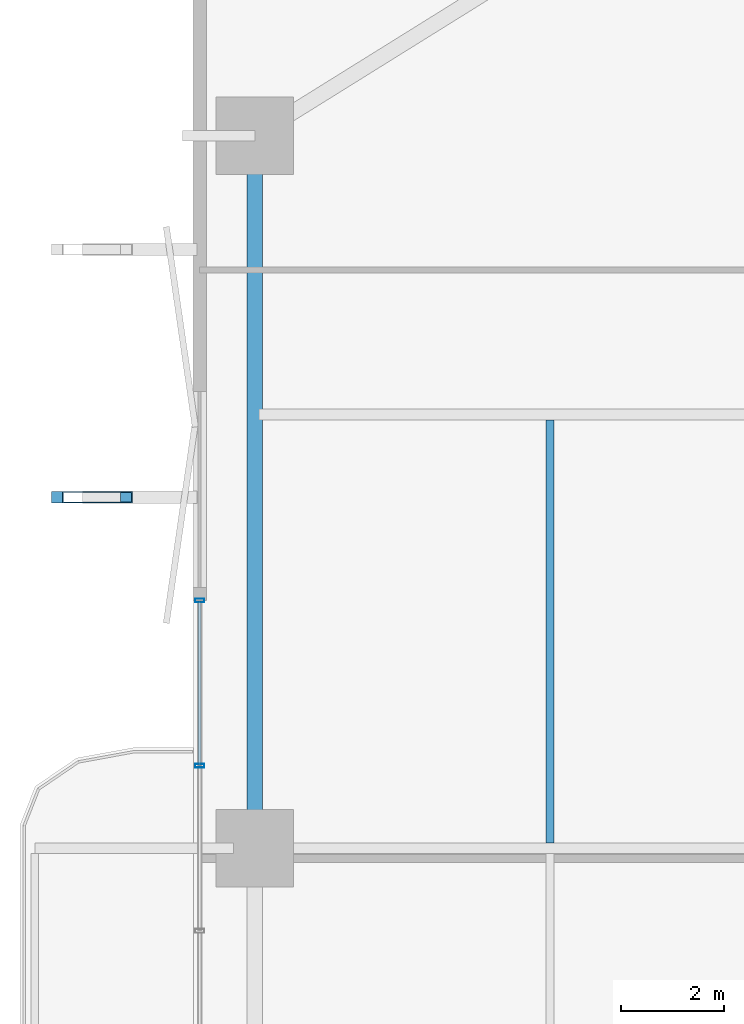
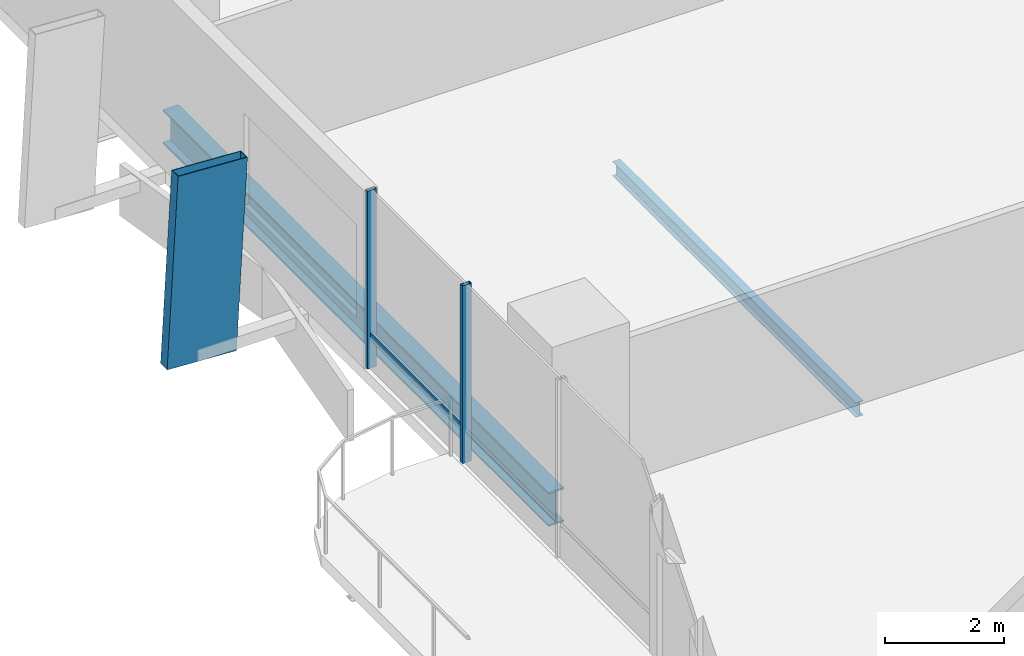
# One storey, part 9 of 23: 4 members, 2 beams, 1 element without a shape of its own.
"""IFC4 building model written with IfcOpenShell, lengths in metres."""

from ifc_helpers import new_model, si_unit, direction, frame, origin, origin_2d, place, context, subcontext, project, spatial, hollow_rectangle, i_section, extrude, material, layer, layer_set, material_profile, profile_set, type_object, element, aggregate, save


model = new_model("IFC4")

# Units and contexts
model_context = context("Model", 3, precision=1e-05, world=origin(), true_north=direction((0.0, 1.0)))
body_context = subcontext(model_context, "Body", "Model", "MODEL_VIEW")
ifc_project = project(units=[si_unit("LENGTHUNIT", "METRE"), si_unit("AREAUNIT", "SQUARE_METRE"), si_unit("VOLUMEUNIT", "CUBIC_METRE"), si_unit("PLANEANGLEUNIT", "RADIAN"), si_unit("MASSUNIT", "GRAM", prefix="KILO")], contexts=[model_context])

# Site, building, storey
site_placement = place(None, origin())
site = spatial("IfcSite", under=ifc_project, at=site_placement, CompositionType="ELEMENT")
building_placement = place(site_placement, origin())
building = spatial("IfcBuilding", under=site, at=building_placement, Name="Belovzor Exchange Tower", CompositionType="ELEMENT")
storey_placement = place(building_placement, frame((0.0, 0.0, 57.300048828125)))
storey = spatial("IfcBuildingStorey", under=building, at=storey_placement, Name="L13", CompositionType="ELEMENT", Elevation=57.300048828125)

# Member
ifc_material_1 = material(Name="Extruded Architectural Terracotta on Steel S355 Carrier", Category="masonry")
ifc_material_profile_1 = material_profile(ifc_material_1, hollow_rectangle(XDim=0.219970703125, YDim=1.35009765625, WallThickness=0.013916015625, at=origin_2d()))
ifc_profile_set_1 = profile_set([ifc_material_profile_1], Name="Extruded Architectural Terracotta on Steel S355 Carrier")
member_type_1 = type_object("IfcMemberType", Name="Base Arc Sweeping Terracotta Pylon Fin 1450", PredefinedType="USERDEFINED", material=ifc_profile_set_1)
member_1_placement = place(storey_placement, frame((-1.1630859375, 35.60009765625, -0.25), z_axis=(0.05481915954, 0.0, 0.998496299316), x_axis=(0.0, 1.0, 0.0)))
element("IfcMember", 1, at=member_1_placement, inside=storey, type_object=member_type_1, Name="FIN-TC145 Terracotta Facade Fin L13 W3", ObjectType="FIN", PredefinedType="USERDEFINED", context=body_context, shape_type="SweptSolid", body=[
    extrude(hollow_rectangle(XDim=0.219970703125, YDim=1.35009765625, WallThickness=0.013916015625, at=origin_2d()), origin(), (0.0, 0.0, 1.0), 3.90576171875),
])

# Beam
ifc_material_2 = material(Name="Steel S355", Category="steel")
ifc_material_profile_2 = material_profile(ifc_material_2, i_section(OverallWidth=0.14990234375, OverallDepth=0.300048828125, WebThickness=0.007080078125, FlangeThickness=0.0107421875, at=origin_2d()))
ifc_profile_set_2 = profile_set([ifc_material_profile_2], Name="Steel S355")
beam_type_1 = type_object("IfcBeamType", Name="Secondary Trim Floor Joist IPE 300", PredefinedType="BEAM", material=ifc_profile_set_2)
beam_1_placement = place(storey_placement, frame((7.81494140625, 28.905029296875, -0.400146484375), z_axis=(0.0, 1.0, 0.0), x_axis=(-1.0, 0.0, 0.0)))
element("IfcBeam", 2, at=beam_1_placement, inside=storey, type_object=beam_type_1, Name="FJ-300 Secondary Trim Floor Joist IPE 300", PredefinedType="BEAM", context=body_context, shape_type="SweptSolid", body=[
    extrude(i_section(OverallWidth=0.14990234375, OverallDepth=0.300048828125, WebThickness=0.007080078125, FlangeThickness=0.0107421875, at=origin_2d()), origin(), (0.0, 0.0, 1.0), 8.18994140625),
])

# Curtain wall, members
ifc_material_3 = material(Name="Anodised Aluminium Framing", Category="aluminium")
ifc_layer = layer(ifc_material_3, 0.179931640625)
ifc_layer_set = layer_set([ifc_layer], Name="Anodised Aluminium Framing")
curtain_wall_type = type_object("IfcCurtainWallType", Name="Recessed Loggia Low-Iron Triple-Glazed Curtain Wall", PredefinedType="NOTDEFINED", material=ifc_layer_set)
curtain_wall_placement = place(storey_placement, origin())
curtain_wall = element("IfcCurtainWall", 3, at=curtain_wall_placement, inside=storey, type_object=curtain_wall_type, Name="CW3 Recessed Loggia Low-Iron Triple-Glazed Curtain Wall L13", PredefinedType="NOTDEFINED")
ifc_material_4 = material(Name="Steel S355", Category="steel")
ifc_material_profile_3 = material_profile(ifc_material_4, hollow_rectangle(XDim=0.074951171875, YDim=0.179931640625, WallThickness=0.0048828125, at=origin_2d()))
ifc_profile_set_3 = profile_set([ifc_material_profile_3], Name="Steel S355")
member_type_2 = type_object("IfcMemberType", Name="Thermally Broken Curtain Wall Mullion 180x75", PredefinedType="MULLION", material=ifc_profile_set_3)
member_2_placement = place(storey_placement, frame((1.030029296875, 30.39990234375, 0.0), z_axis=(0.0, 0.0, 1.0), x_axis=(0.0, 1.0, 0.0)))
member_2 = element("IfcMember", 4, at=member_2_placement, type_object=member_type_2, Name="CW-M180 Curtain Wall Mullion 3", PredefinedType="MULLION", context=body_context, shape_type="SweptSolid", body=[
    extrude(hollow_rectangle(XDim=0.074951171875, YDim=0.179931640625, WallThickness=0.0048828125, at=origin_2d()), origin(), (0.0, 0.0, 1.0), 3.64990234375),
])
member_3_placement = place(storey_placement, frame((1.030029296875, 33.60009765625, 0.0), z_axis=(0.0, 0.0, 1.0), x_axis=(0.0, 1.0, 0.0)))
member_3 = element("IfcMember", 5, at=member_3_placement, type_object=member_type_2, Name="CW-M180 Curtain Wall Mullion 4", PredefinedType="MULLION", context=body_context, shape_type="SweptSolid", body=[
    extrude(hollow_rectangle(XDim=0.074951171875, YDim=0.179931640625, WallThickness=0.0048828125, at=origin_2d()), origin(), (0.0, 0.0, 1.0), 3.64990234375),
])
ifc_material_5 = material(Name="Steel S355", Category="steel")
ifc_material_profile_4 = material_profile(ifc_material_5, hollow_rectangle(XDim=0.06005859375, YDim=0.14990234375, WallThickness=0.00390625, at=origin_2d()))
ifc_profile_set_4 = profile_set([ifc_material_profile_4], Name="Steel S355")
member_type_3 = type_object("IfcMemberType", Name="Thermally Broken Curtain Wall Transom 150x60", PredefinedType="USERDEFINED", material=ifc_profile_set_4)
member_4_placement = place(storey_placement, frame((1.030029296875, 30.407958984375, 0.64990234375), z_axis=(0.0, 1.0, 0.0), x_axis=(-1.0, 0.0, 0.0)))
member_4 = element("IfcMember", 6, at=member_4_placement, type_object=member_type_3, Name="CW-T150 Curtain Wall Transom 3", ObjectType="TRANSOM", PredefinedType="USERDEFINED", context=body_context, shape_type="SweptSolid", body=[
    extrude(hollow_rectangle(XDim=0.06005859375, YDim=0.14990234375, WallThickness=0.00390625, at=origin_2d()), origin(), (0.0, 0.0, 1.0), 3.18408203125),
])
aggregate(curtain_wall, [member_2, member_3, member_4])

# Beam
ifc_material_6 = material(Name="Steel S355", Category="steel")
ifc_material_profile_5 = material_profile(ifc_material_6, i_section(OverallWidth=0.300048828125, OverallDepth=0.699951171875, WebThickness=0.01708984375, FlangeThickness=0.031982421875, at=origin_2d()))
ifc_profile_set_5 = profile_set([ifc_material_profile_5], Name="Steel S355")
beam_type_2 = type_object("IfcBeamType", Name="Zone 1 Primary Perimeter Girder HEB 700", PredefinedType="BEAM", material=ifc_profile_set_5)
beam_2_placement = place(storey_placement, frame((2.10009765625, 42.18798828125, -0.60009765625), z_axis=(0.0, -1.0, 0.0), x_axis=(1.0, 0.0, 0.0)))
element("IfcBeam", 7, at=beam_2_placement, inside=storey, type_object=beam_type_2, Name="FG-Z1 Zone 1 Primary Perimeter Girder HEB 700", PredefinedType="BEAM", context=body_context, shape_type="SweptSolid", body=[
    extrude(i_section(OverallWidth=0.300048828125, OverallDepth=0.699951171875, WebThickness=0.01708984375, FlangeThickness=0.031982421875, at=origin_2d()), origin(), (0.0, 0.0, 1.0), 12.97509765625),
])

save(model, "model.ifc")
